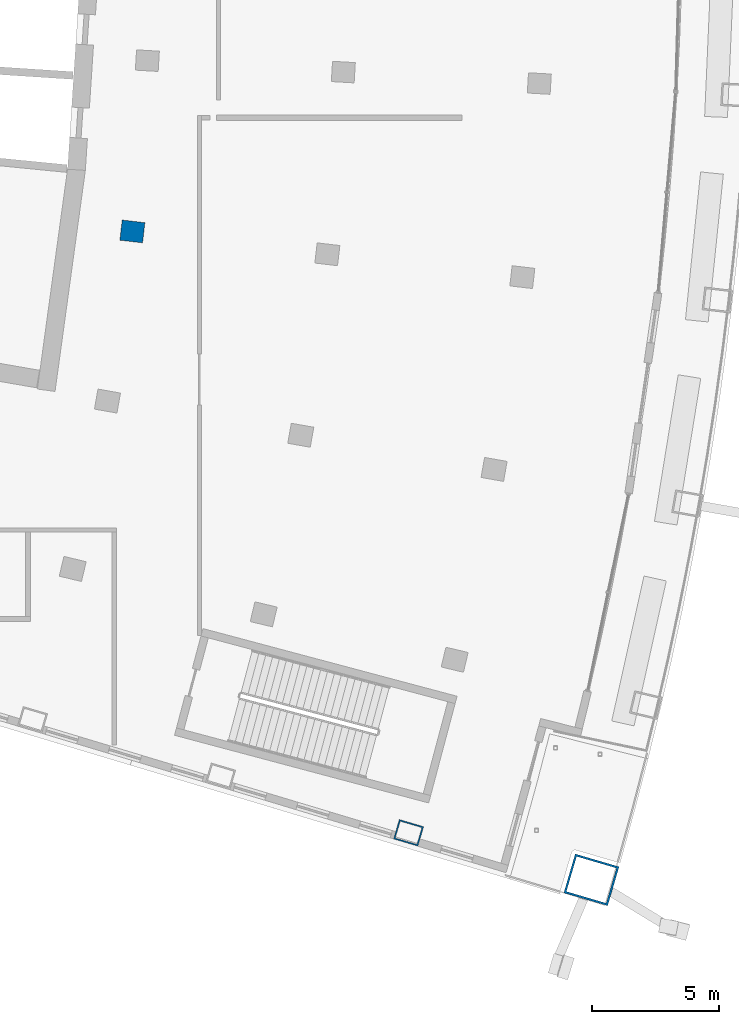
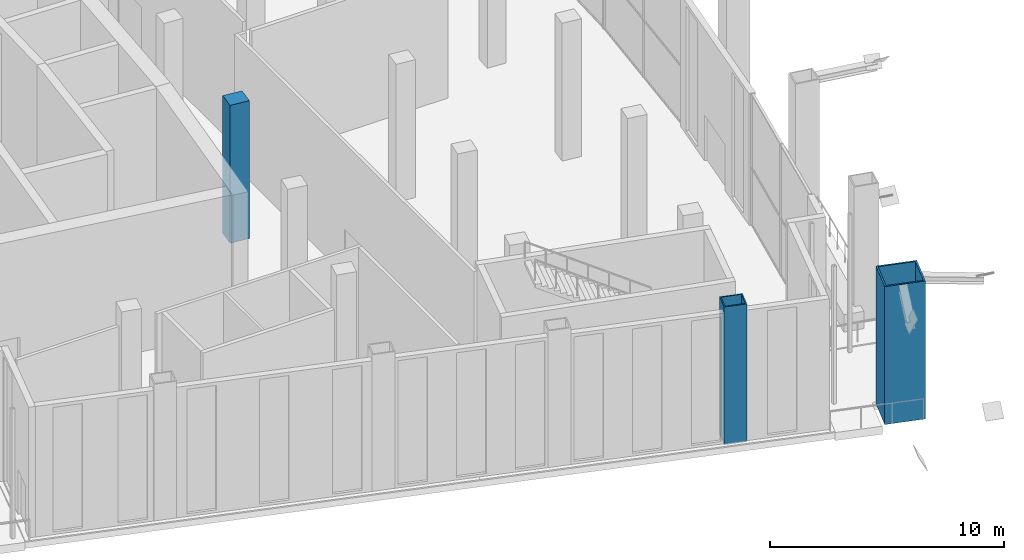
# One storey, part 4 of 26: 3 columns.
"""IFC4 building model written with IfcOpenShell, lengths in metres."""

import ifcopenshell
import ifcopenshell.guid

model = None  # the IFC model being written
_history = None  # IfcOwnerHistory: only IFC2X3 demands one
_inside = {}  # id of a spatial element -> (the spatial element, [elements in it])
_under = {}  # id of a project, library or spatial element -> (it, [spatial elements below it])
_declared = {}  # id of a project -> (the project, [libraries it declares])
_typed = {}  # id of a type object -> (the type object, [elements of that type])
_made_of = {}  # id of a material, layer set ... -> (it, [elements and type objects made of it])


def new_model(schema):
    """Start an empty IFC model of exactly this schema.

    Asked for "IFC4X3", IfcOpenShell would pick the latest addendum, in which some entities
    have other attributes; the version numbers below select the first issue.
    IFC2X3 requires an IfcOwnerHistory on every rooted entity: one is made here for all.
    """
    global model, _history
    if schema == "IFC4X3":
        model = ifcopenshell.file(schema_version=(4, 3, 0, 0))
    else:
        model = ifcopenshell.file(schema=schema)
    _inside.clear()
    _under.clear()
    _declared.clear()
    _typed.clear()
    _made_of.clear()
    _history = None
    if model.schema == "IFC2X3":
        org = make("IfcOrganization", Name="unknown")
        user = make(
            "IfcPersonAndOrganization",
            ThePerson=make("IfcPerson", FamilyName="unknown"),
            TheOrganization=org,
        )
        app = make(
            "IfcApplication",
            ApplicationDeveloper=org,
            Version="unknown",
            ApplicationFullName="unknown",
            ApplicationIdentifier="unknown",
        )
        _history = make(
            "IfcOwnerHistory",
            OwningUser=user,
            OwningApplication=app,
            ChangeAction="ADDED",
            CreationDate=0,
        )
    return model


def make(cls, **values):
    """One entity of the class cls with the attributes given. An attribute that is None is left unset."""
    return model.create_entity(
        cls, **{name: value for name, value in values.items() if value is not None}
    )


def rooted(cls, **values):
    """An entity with a GlobalId (a new one), such as an element, a storey or a relation."""
    return make(cls, GlobalId=ifcopenshell.guid.new(), OwnerHistory=_history, **values)


def si_unit(unit_type, name, prefix=None):
    """IfcSIUnit, for example si_unit("LENGTHUNIT", "METRE", prefix="MILLI")."""
    return make("IfcSIUnit", UnitType=unit_type, Prefix=prefix, Name=name)


def assignment(units):
    """IfcUnitAssignment: the units of a project."""
    return None if units is None else make("IfcUnitAssignment", Units=units)


def point(xyz):
    """IfcCartesianPoint."""
    return None if xyz is None else make("IfcCartesianPoint", Coordinates=xyz)


def direction(xyz):
    """IfcDirection."""
    return None if xyz is None else make("IfcDirection", DirectionRatios=xyz)


def frame(location, z_axis=None, x_axis=None):
    """IfcAxis2Placement3D, a coordinate frame: its origin and axes. An axis left out is left unset."""
    return make(
        "IfcAxis2Placement3D",
        Location=point(location),
        Axis=direction(z_axis),
        RefDirection=direction(x_axis),
    )


def frame_2d(location, x_axis=None):
    """IfcAxis2Placement2D, a coordinate frame in the plane: its origin and x axis."""
    return make(
        "IfcAxis2Placement2D", Location=point(location), RefDirection=direction(x_axis)
    )


def origin():
    """The frame at (0, 0, 0) with its axes left unset."""
    return frame((0.0, 0.0, 0.0))


def origin_2d():
    """The frame at (0, 0) in the plane with its x axis left unset."""
    return frame_2d((0.0, 0.0))


def place(relative_to, where):
    """IfcLocalPlacement: puts the frame where relative to a parent placement (None: the world)."""
    return make(
        "IfcLocalPlacement", PlacementRelTo=relative_to, RelativePlacement=where
    )


def context(
    kind, dimensions, precision=None, world=None, true_north=None, identifier=None
):
    """IfcGeometricRepresentationContext, for example the 3D "Model" context."""
    return make(
        "IfcGeometricRepresentationContext",
        ContextIdentifier=identifier,
        ContextType=kind,
        CoordinateSpaceDimension=dimensions,
        Precision=precision,
        WorldCoordinateSystem=world,
        TrueNorth=true_north,
    )


def subcontext(parent, identifier, kind, view, scale=None):
    """IfcGeometricRepresentationSubContext, for example "Body" below "Model"."""
    return make(
        "IfcGeometricRepresentationSubContext",
        ContextIdentifier=identifier,
        ContextType=kind,
        ParentContext=parent,
        TargetScale=scale,
        TargetView=view,
    )


def project(units=None, contexts=None):
    """IfcProject with its units and contexts."""
    return rooted(
        "IfcProject",
        Name="project",
        RepresentationContexts=contexts,
        UnitsInContext=assignment(units),
    )


def spatial(cls, under=None, at=None, **own):
    """A site, building, storey or space (cls), placed at a placement, below another one or the project."""
    s = rooted(cls, ObjectPlacement=at, **own)
    if under is not None:
        _under.setdefault(under.id(), (under, []))[1].append(s)
    return s


def profile(cls, at=None, kind="AREA", **sizes):
    """A parametric profile (cls). Its sizes go by their IFC names, for example OverallWidth=200.0."""
    return make(cls, ProfileType=kind, Position=at, **sizes)


def rectangle(**sizes):
    """IfcRectangleProfileDef."""
    return profile("IfcRectangleProfileDef", **sizes)


def hollow_rectangle(**sizes):
    """IfcRectangleHollowProfileDef."""
    return profile("IfcRectangleHollowProfileDef", **sizes)


def extrude(swept, where, along, depth):
    """IfcExtrudedAreaSolid: the profile swept, set in the frame where, extruded along a direction by depth."""
    return make(
        "IfcExtrudedAreaSolid",
        SweptArea=swept,
        Position=where,
        ExtrudedDirection=direction(along),
        Depth=depth,
    )


def shape(context_of_items, identifier, shape_type, items):
    """IfcShapeRepresentation: the items that make up one representation, for example the "Body"."""
    return make(
        "IfcShapeRepresentation",
        ContextOfItems=context_of_items,
        RepresentationIdentifier=identifier,
        RepresentationType=shape_type,
        Items=items,
    )


def material(Name=None, Category=None):
    """IfcMaterial."""
    return make("IfcMaterial", Name=Name, Category=Category)


def material_profile(
    of_material, cross_section, Name=None, Category=None, Priority=None
):
    """IfcMaterialProfile: a cross section and its material."""
    return make(
        "IfcMaterialProfile",
        Name=Name,
        Material=of_material,
        Profile=cross_section,
        Priority=Priority,
        Category=Category,
    )


def profile_set(profiles, Name=None, composite=None):
    """IfcMaterialProfileSet."""
    return make(
        "IfcMaterialProfileSet",
        Name=Name,
        MaterialProfiles=profiles,
        CompositeProfile=composite,
    )


def made_of(thing, what):
    """Note that an element or type object is made of a material, layer set ...; save() writes the relation."""
    if what is not None:
        _made_of.setdefault(what.id(), (what, []))[1].append(thing)
    return thing


def type_object(cls, material=None, **own):
    """A type object (cls), such as IfcWallType, which elements share."""
    return made_of(rooted(cls, **own), material)


def element(
    cls,
    number,
    at=None,
    inside=None,
    cuts=None,
    type_object=None,
    material=None,
    context=None,
    identifier="Body",
    shape_type=None,
    held_by="IfcProductDefinitionShape",
    body=None,
    shapes=None,
    **own,
):
    """One element of the class cls, such as IfcWall. Its Tag is "e" and its number.

    at: its placement. inside: the storey or other place that contains it. cuts: it is an
    opening in that element (IfcRelVoidsElement). A single representation is given by context,
    identifier, shape_type and body (its items); several are given by shapes. held_by: the class
    of the entity that holds the representations. save() writes the other relations.
    """
    e = rooted(cls, Tag="e%d" % number, ObjectPlacement=at, **own)
    if body is not None:
        shapes = [shape(context, identifier, shape_type, body)]
    if shapes is not None:
        e.Representation = make(held_by, Representations=shapes)
    if inside is not None:
        _inside.setdefault(inside.id(), (inside, []))[1].append(e)
    if cuts is not None:
        rooted(
            "IfcRelVoidsElement", RelatingBuildingElement=cuts, RelatedOpeningElement=e
        )
    if type_object is not None:
        _typed.setdefault(type_object.id(), (type_object, []))[1].append(e)
    return made_of(e, material)


def aggregate(whole, parts):
    """IfcRelAggregates: a whole, such as a stair, and the parts it consists of."""
    return rooted("IfcRelAggregates", RelatingObject=whole, RelatedObjects=parts)


def save(model, path):
    """Write the relations noted so far, then the file.

    IfcRelAggregates (storeys below a building ...), IfcRelContainedInSpatialStructure (elements
    in a storey), IfcRelDefinesByType, IfcRelAssociatesMaterial and IfcRelDeclares: one each for
    every whole, place, type object, material and project.
    """
    for whole, parts in _under.values():
        aggregate(whole, parts)
    for where, things in _inside.values():
        rooted(
            "IfcRelContainedInSpatialStructure",
            RelatedElements=things,
            RelatingStructure=where,
        )
    for kind, things in _typed.values():
        rooted("IfcRelDefinesByType", RelatedObjects=things, RelatingType=kind)
    for what, things in _made_of.values():
        rooted("IfcRelAssociatesMaterial", RelatedObjects=things, RelatingMaterial=what)
    for by, libraries in _declared.values():
        rooted("IfcRelDeclares", RelatingContext=by, RelatedDefinitions=libraries)
    model.write(path)


model = new_model("IFC4")

# Units and contexts
model_context = context("Model", 3, precision=1e-05, world=origin(), true_north=direction((0.0, 1.0)))
body_context = subcontext(model_context, "Body", "Model", "MODEL_VIEW")
ifc_project = project(units=[si_unit("LENGTHUNIT", "METRE"), si_unit("AREAUNIT", "SQUARE_METRE"), si_unit("VOLUMEUNIT", "CUBIC_METRE"), si_unit("PLANEANGLEUNIT", "RADIAN"), si_unit("MASSUNIT", "GRAM", prefix="KILO")], contexts=[model_context])

# Site, building, storey
site_placement = place(None, origin())
site = spatial("IfcSite", under=ifc_project, at=site_placement, CompositionType="ELEMENT")
building_placement = place(site_placement, origin())
building = spatial("IfcBuilding", under=site, at=building_placement, Name="Alderwake Tower", CompositionType="ELEMENT")
storey_placement = place(building_placement, frame((0.0, 0.0, 182.0)))
storey = spatial("IfcBuildingStorey", under=building, at=storey_placement, Name="L45", CompositionType="ELEMENT", Elevation=182.0)

# Columns
ifc_material_1 = material(Name="Steel ASTM A572 Grade 50 concrete filled C70/85", Category="concrete")
ifc_material_profile_1 = material_profile(ifc_material_1, hollow_rectangle(XDim=0.800048828125, YDim=1.0, WallThickness=0.054931640625, at=origin_2d()), Name="BOX 1000X800X55")
ifc_profile_set_1 = profile_set([ifc_material_profile_1], Name="Steel ASTM A572 Grade 50 concrete filled C70/85")
column_type_1 = type_object("IfcColumnType", Name="End column Z3", PredefinedType="COLUMN", material=ifc_profile_set_1)
column_1_placement = place(storey_placement, frame((45.89404296875, 23.82958984375, 0.0), z_axis=(0.0, 0.0, 1.0), x_axis=(0.283168465256, 0.959070185276, 0.0)))
element("IfcColumn", 1, at=column_1_placement, inside=storey, type_object=column_type_1, Name="Column R02-C4", PredefinedType="COLUMN", context=body_context, shape_type="SweptSolid", body=[
    extrude(hollow_rectangle(XDim=0.800048828125, YDim=1.0, WallThickness=0.054931640625, at=origin_2d()), origin(), (0.0, 0.0, 1.0), 7.199951171875),
])
ifc_material_2 = material(Name="Concrete C70/85", Category="concrete")
ifc_material_profile_2 = material_profile(ifc_material_2, rectangle(XDim=0.800048828125, YDim=0.89990234375, at=origin_2d()), Name="RC 900X800")
ifc_profile_set_2 = profile_set([ifc_material_profile_2], Name="Concrete C70/85")
column_type_2 = type_object("IfcColumnType", Name="Interior column Z3", PredefinedType="COLUMN", material=ifc_profile_set_2)
column_2_placement = place(storey_placement, frame((35.0126953125, 47.5205078125, 0.0), z_axis=(0.0, 0.0, 1.0), x_axis=(0.116402054316, 0.993202175668, 0.0)))
element("IfcColumn", 2, at=column_2_placement, inside=storey, type_object=column_type_2, Name="Column R05-C2", PredefinedType="COLUMN", context=body_context, shape_type="SweptSolid", body=[
    extrude(rectangle(XDim=0.800048828125, YDim=0.89990234375, at=origin_2d()), origin(), (0.0, 0.0, 1.0), 7.199951171875),
])
ifc_material_3 = material(Name="Steel ASTM A572 Grade 50 concrete filled C70/85", Category="concrete")
ifc_material_profile_3 = material_profile(ifc_material_3, hollow_rectangle(XDim=1.60009765625, YDim=1.800048828125, WallThickness=0.080078125, at=origin_2d()), Name="BOX 1800X1600X80")
ifc_profile_set_3 = profile_set([ifc_material_profile_3], Name="Steel ASTM A572 Grade 50 concrete filled C70/85")
column_type_3 = type_object("IfcColumnType", Name="Mega column Z3", PredefinedType="COLUMN", material=ifc_profile_set_3)
column_3_placement = place(storey_placement, frame((53.09765625, 21.977783203125, 0.0), z_axis=(0.0, 0.0, 1.0), x_axis=(0.281341735468, 0.959607642677, 0.0)))
element("IfcColumn", 3, at=column_3_placement, inside=storey, type_object=column_type_3, Name="Column R02-C5", PredefinedType="COLUMN", context=body_context, shape_type="SweptSolid", body=[
    extrude(hollow_rectangle(XDim=1.60009765625, YDim=1.800048828125, WallThickness=0.080078125, at=origin_2d()), origin(), (0.0, 0.0, 1.0), 7.199951171875),
])

save(model, "model.ifc")
